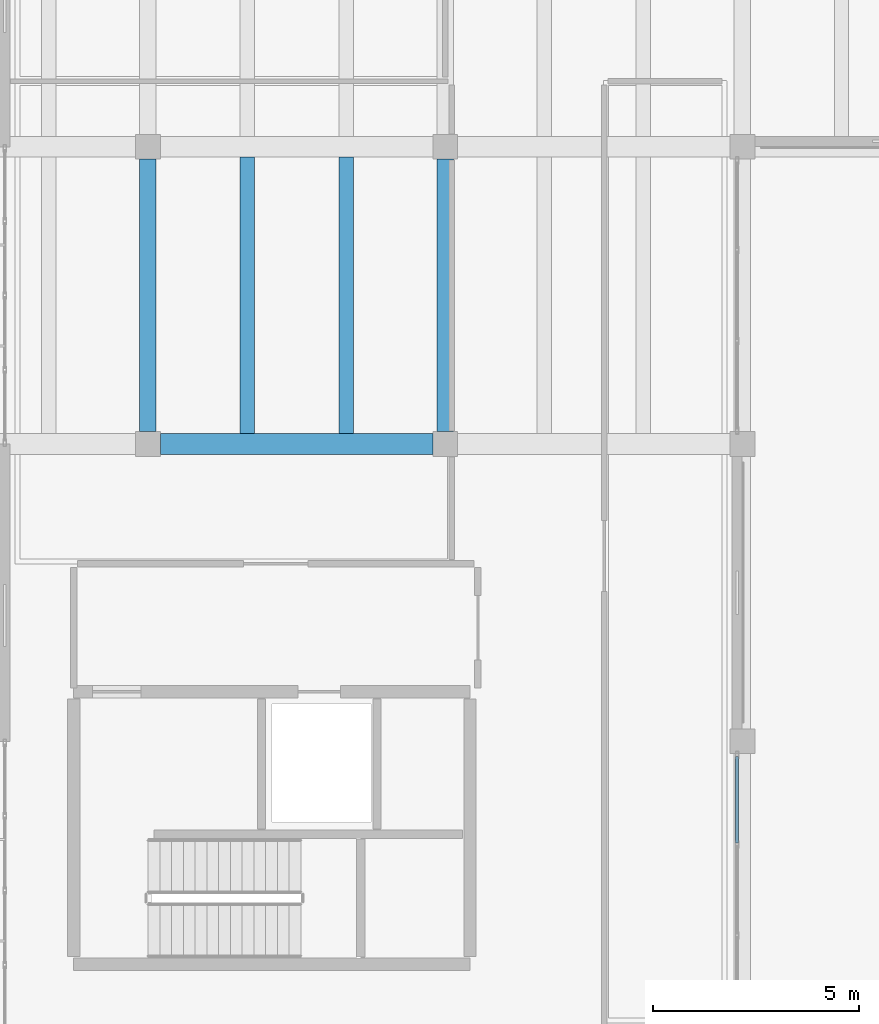
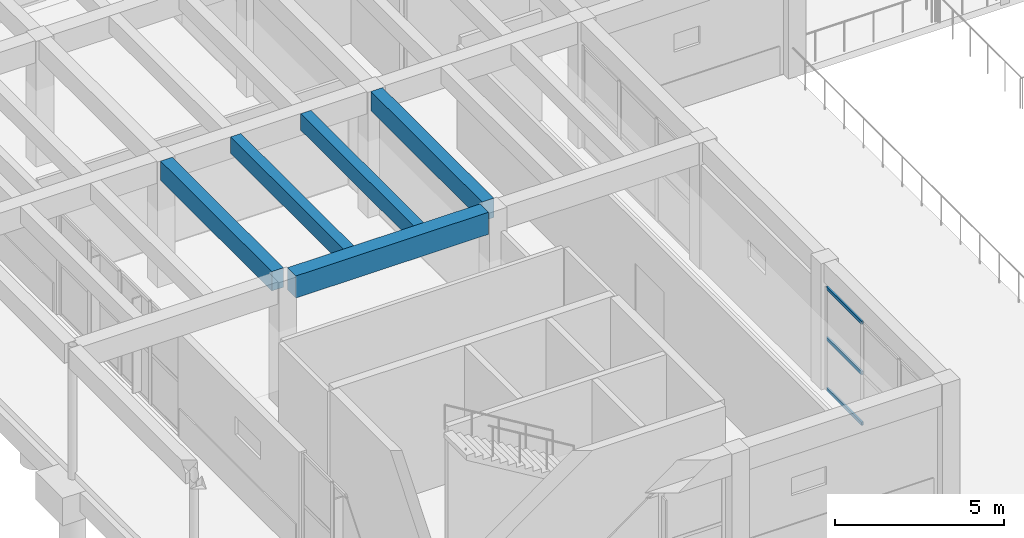
# One storey, part 19 of 155: 5 beams, 3 members, 1 element without a shape of its own.
"""IFC4 building model written with IfcOpenShell, lengths in metres."""

from ifc_helpers import new_model, si_unit, direction, frame, origin, origin_2d, place, context, subcontext, project, spatial, rectangle, hollow_rectangle, extrude, material, material_profile, profile_set, type_object, element, aggregate, save


model = new_model("IFC4")

# Units and contexts
model_context = context("Model", 3, precision=1e-05, world=origin(), true_north=direction((0.0, 1.0)))
body_context = subcontext(model_context, "Body", "Model", "MODEL_VIEW")
ifc_project = project(units=[si_unit("LENGTHUNIT", "METRE"), si_unit("AREAUNIT", "SQUARE_METRE"), si_unit("VOLUMEUNIT", "CUBIC_METRE"), si_unit("PLANEANGLEUNIT", "RADIAN"), si_unit("MASSUNIT", "GRAM", prefix="KILO")], contexts=[model_context])

# Site, building, storey
site_placement = place(None, origin())
site = spatial("IfcSite", under=ifc_project, at=site_placement, CompositionType="ELEMENT")
building_placement = place(site_placement, origin())
building = spatial("IfcBuilding", under=site, at=building_placement, Name="Bramvelor Terrace Health Centre", CompositionType="ELEMENT")
storey_placement = place(building_placement, origin())
storey = spatial("IfcBuildingStorey", under=building, at=storey_placement, Name="L01", CompositionType="ELEMENT", Elevation=0.0)

# Beams
ifc_material_1 = material(Name="Concrete C40/50", Category="concrete")
ifc_material_profile_1 = material_profile(ifc_material_1, rectangle(XDim=0.39990234375, YDim=0.699951171875, at=origin_2d()), Name="RC 400x700")
ifc_profile_set_1 = profile_set([ifc_material_profile_1], Name="Concrete C40/50")
beam_type_1 = type_object("IfcBeamType", Name="BM-RC-G700", PredefinedType="BEAM", material=ifc_profile_set_1)
for number, where, z_axis, x_axis, name in (
    (1, (7.199951171875, 43.5, 4.2099609375), (0.0, 1.0, 0.0), (-1.0, 0.0, 0.0), "L01 Floor Girder"),
    (2, (14.39990234375, 43.5, 4.2099609375), (0.0, 1.0, 0.0), (-1.0, 0.0, 0.0), "L01 Floor Girder"),
):
    element("IfcBeam", number, at=place(storey_placement, frame(where, z_axis=z_axis, x_axis=x_axis)), inside=storey, type_object=beam_type_1, Name=name, PredefinedType="BEAM", context=body_context, shape_type="SweptSolid", body=[
        extrude(rectangle(XDim=0.39990234375, YDim=0.699951171875, at=origin_2d()), origin(), (0.0, 0.0, 1.0), 6.60009765625),
    ])
ifc_material_2 = material(Name="Concrete C40/50", Category="concrete")
ifc_material_profile_2 = material_profile(ifc_material_2, rectangle(XDim=0.5, YDim=0.800048828125, at=origin_2d()), Name="RC 500x800")
ifc_profile_set_2 = profile_set([ifc_material_profile_2], Name="Concrete C40/50")
beam_type_2 = type_object("IfcBeamType", Name="BM-RC-G800", PredefinedType="BEAM", material=ifc_profile_set_2)
beam_placement = place(storey_placement, frame((7.5, 43.199951171875, 4.159912109375), z_axis=(1.0, 0.0, 0.0), x_axis=(0.0, 1.0, 0.0)))
element("IfcBeam", 3, at=beam_placement, inside=storey, type_object=beam_type_2, Name="L01 Floor Girder", PredefinedType="BEAM", context=body_context, shape_type="SweptSolid", body=[
    extrude(rectangle(XDim=0.5, YDim=0.800048828125, at=origin_2d()), origin(), (0.0, 0.0, 1.0), 6.60009765625),
])
ifc_material_3 = material(Name="Concrete C40/50", Category="concrete")
ifc_material_profile_3 = material_profile(ifc_material_3, rectangle(XDim=0.35009765625, YDim=0.60009765625, at=origin_2d()), Name="RC 350x600")
ifc_profile_set_3 = profile_set([ifc_material_profile_3], Name="Concrete C40/50")
beam_type_3 = type_object("IfcBeamType", Name="BM-RC-J600", PredefinedType="JOIST", material=ifc_profile_set_3)
for number, where, z_axis, x_axis, name in (
    (4, (9.60009765625, 43.449951171875, 4.260009765625), (0.0, 1.0, 0.0), (-1.0, 0.0, 0.0), "L01 Secondary Floor Joist"),
    (5, (12.0, 43.449951171875, 4.260009765625), (0.0, 1.0, 0.0), (-1.0, 0.0, 0.0), "L01 Secondary Floor Joist"),
):
    element("IfcBeam", number, at=place(storey_placement, frame(where, z_axis=z_axis, x_axis=x_axis)), inside=storey, type_object=beam_type_3, Name=name, PredefinedType="JOIST", context=body_context, shape_type="SweptSolid", body=[
        extrude(rectangle(XDim=0.35009765625, YDim=0.60009765625, at=origin_2d()), origin(), (0.0, 0.0, 1.0), 6.699951171875),
    ])

# Curtain wall, members
ifc_material_4 = material(Name="Anodized aluminium and double low-E glass", Category="aluminium")
curtain_wall_type = type_object("IfcCurtainWallType", Name="CW-SYS-02", PredefinedType="NOTDEFINED", material=ifc_material_4)
curtain_wall_placement = place(storey_placement, origin())
curtain_wall = element("IfcCurtainWall", 6, at=curtain_wall_placement, inside=storey, type_object=curtain_wall_type, Name="L01 Unitized Curtain Wall 5", PredefinedType="NOTDEFINED")
ifc_material_5 = material(Name="Anodized aluminium 6063-T6", Category="aluminium")
ifc_material_profile_4 = material_profile(ifc_material_5, hollow_rectangle(XDim=0.06494140625, YDim=0.1201171875, WallThickness=0.0029296875, at=origin_2d()), Name="ALU-TRN 65x120x3.0")
ifc_profile_set_4 = profile_set([ifc_material_profile_4], Name="Anodized aluminium 6063-T6")
member_type = type_object("IfcMemberType", Name="CW-TRN-65x150", PredefinedType="USERDEFINED", material=ifc_profile_set_4)
member_1_placement = place(storey_placement, frame((21.469970703125, 35.6298828125, 0.032470703125), z_axis=(0.0, -1.0, 0.0), x_axis=(1.0, 0.0, 0.0)))
member_1 = element("IfcMember", 7, at=member_1_placement, type_object=member_type, Name="CW-02 transom 1.1", ObjectType="TRANSOM", PredefinedType="USERDEFINED", context=body_context, shape_type="SweptSolid", body=[
    extrude(hollow_rectangle(XDim=0.06494140625, YDim=0.1201171875, WallThickness=0.0029296875, at=origin_2d()), origin(), (0.0, 0.0, 1.0), 2.0908203125),
])
member_2_placement = place(storey_placement, frame((21.469970703125, 35.6298828125, 1.860107421875), z_axis=(0.0, -1.0, 0.0), x_axis=(1.0, 0.0, 0.0)))
member_2 = element("IfcMember", 8, at=member_2_placement, type_object=member_type, Name="CW-02 transom 1.2", ObjectType="TRANSOM", PredefinedType="USERDEFINED", context=body_context, shape_type="SweptSolid", body=[
    extrude(hollow_rectangle(XDim=0.06494140625, YDim=0.1201171875, WallThickness=0.0029296875, at=origin_2d()), origin(), (0.0, 0.0, 1.0), 2.0908203125),
])
member_3_placement = place(storey_placement, frame((21.469970703125, 35.6298828125, 3.6875), z_axis=(0.0, -1.0, 0.0), x_axis=(1.0, 0.0, 0.0)))
member_3 = element("IfcMember", 9, at=member_3_placement, type_object=member_type, Name="CW-02 transom 1.3", ObjectType="TRANSOM", PredefinedType="USERDEFINED", context=body_context, shape_type="SweptSolid", body=[
    extrude(hollow_rectangle(XDim=0.06494140625, YDim=0.1201171875, WallThickness=0.0029296875, at=origin_2d()), origin(), (0.0, 0.0, 1.0), 2.0908203125),
])
aggregate(curtain_wall, [member_1, member_2, member_3])

save(model, "model.ifc")
